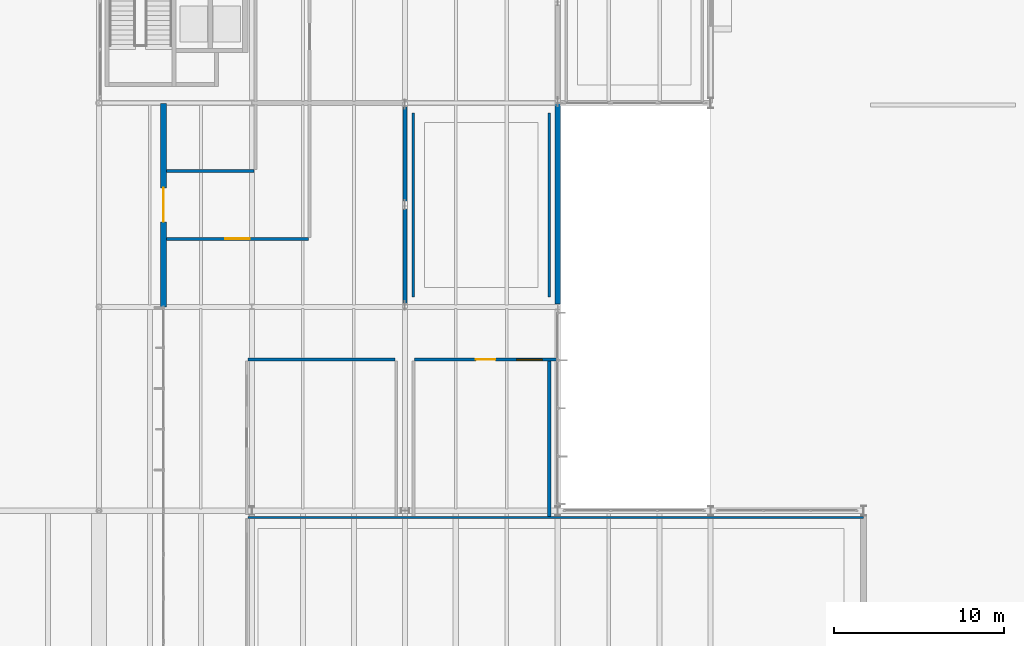
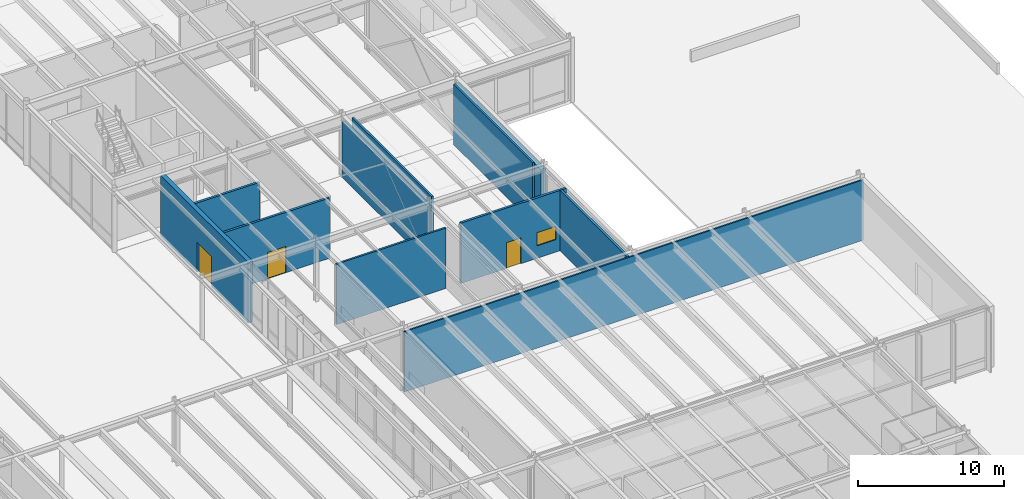
# One storey, part 124 of 143: 11 walls, 3 doors, 1 window, 4 openings.
"""IFC4 building model written with IfcOpenShell, lengths in metres."""

from ifc_helpers import new_model, si_unit, direction, frame, frame_2d, origin, place, context, subcontext, project, spatial, rectangle, extrude, material, layer, layer_set, type_object, element, fill, save


model = new_model("IFC4")

# Units and contexts
model_context = context("Model", 3, precision=1e-05, world=origin(), true_north=direction((0.0, 1.0)))
body_context = subcontext(model_context, "Body", "Model", "MODEL_VIEW")
ifc_project = project(units=[si_unit("LENGTHUNIT", "METRE"), si_unit("AREAUNIT", "SQUARE_METRE"), si_unit("VOLUMEUNIT", "CUBIC_METRE"), si_unit("PLANEANGLEUNIT", "RADIAN"), si_unit("MASSUNIT", "GRAM", prefix="KILO")], contexts=[model_context])

# Site, building, storey
site_placement = place(None, origin())
site = spatial("IfcSite", under=ifc_project, at=site_placement, CompositionType="ELEMENT")
building_placement = place(site_placement, origin())
building = spatial("IfcBuilding", under=site, at=building_placement, Name="Montelvaro Courts of Justice", CompositionType="ELEMENT")
storey_placement = place(building_placement, origin())
storey = spatial("IfcBuildingStorey", under=building, at=storey_placement, Name="L00", CompositionType="ELEMENT", Elevation=0.0)

# Walls
ifc_material_1 = material(Name="Gypsum board on metal stud")
ifc_layer_1 = layer(ifc_material_1, 0.14990234375)
ifc_layer_set_1 = layer_set([ifc_layer_1], Name="Gypsum board on metal stud")
wall_type_1 = type_object("IfcWallType", Name="ChambersPartition_150", PredefinedType="PARTITIONING", material=ifc_layer_set_1)
wall_1_placement = place(storey_placement, frame((107.780029296875, 50.89990234375, 0.0), z_axis=(0.0, 0.0, 1.0), x_axis=(1.0, 0.0, 0.0)))
element("IfcWall", 1, at=wall_1_placement, inside=storey, type_object=wall_type_1, Name="Interior Partition IW-04 (L00)", PredefinedType="PARTITIONING", context=body_context, shape_type="SweptSolid", body=[
    extrude(rectangle(XDim=8.639892578125, YDim=0.14990234375, at=frame_2d((4.31982421875, 0.0))), origin(), (0.0, 0.0, 1.0), 5.0400390625),
])
for number, where, z_axis, x_axis, name in (
    (2, (117.5, 54.580078125, 0.0), (0.0, 0.0, 1.0), (0.0, 1.0, 0.0), "Interior Partition IW-04 (L00)"),
    (3, (125.5, 65.419921875, 0.0), (0.0, 0.0, 1.0), (0.0, -1.0, 0.0), "Interior Partition IW-04 (L00)"),
):
    element("IfcWall", number, at=place(storey_placement, frame(where, z_axis=z_axis, x_axis=x_axis)), inside=storey, type_object=wall_type_1, Name=name, PredefinedType="PARTITIONING", context=body_context, shape_type="SweptSolid", body=[
        extrude(rectangle(XDim=10.83984375, YDim=0.14990234375, at=frame_2d((5.419921875, 0.0))), origin(), (0.0, 0.0, 1.0), 5.0400390625),
    ])

# Wall, opening, door
ifc_material_2 = material(Name="Fire-rated gypsum and steel stud", Category="steel")
ifc_layer_2 = layer(ifc_material_2, 0.179931640625)
ifc_layer_set_2 = layer_set([ifc_layer_2], Name="Fire-rated gypsum and steel stud")
wall_type_2 = type_object("IfcWallType", Name="CorridorFireWall_180", PredefinedType="PARTITIONING", material=ifc_layer_set_2)
wall_2_placement = place(storey_placement, frame((111.320068359375, 58.0, 0.0), z_axis=(0.0, 0.0, 1.0), x_axis=(-1.0, 0.0, 0.0)))
wall_2 = element("IfcWall", 4, at=wall_2_placement, inside=storey, type_object=wall_type_2, Name="Interior Partition IW-02 (L00)", PredefinedType="PARTITIONING", context=body_context, shape_type="SweptSolid", body=[
    extrude(rectangle(XDim=8.35009765625, YDim=0.179931640625, at=frame_2d((4.175048828125, 0.0))), origin(), (0.0, 0.0, 1.0), 5.0400390625),
])
opening_1_placement = place(wall_2_placement, frame((3.449951171875, 0.0, 0.0)))
opening_1 = element("IfcOpeningElement", 5, at=opening_1_placement, cuts=wall_2, Name="Opening D-L00-030", PredefinedType="OPENING", context=body_context, shape_type="SweptSolid", body=[
    extrude(rectangle(XDim=1.449951171875, YDim=2.199951171875, at=frame_2d((0.72509765625, 1.10009765625))), frame((0.0, 0.10498046875, 0.0), z_axis=(0.0, -1.0, 0.0), x_axis=(1.0, 0.0, 0.0)), (0.0, 0.0, 1.0), 0.209716796875),
])
ifc_material_3 = material(Name="Galvanised steel S355 security door", Category="steel")
door_type_1 = type_object("IfcDoorType", Name="LobbyFireDoor_145x220", OperationType="DOUBLE_DOOR_SINGLE_SWING", PredefinedType="DOOR", material=ifc_material_3)
door_1_placement = place(opening_1_placement, origin())
door_1 = element("IfcDoor", 6, at=door_1_placement, inside=storey, type_object=door_type_1, Name="Interior Door D-L00-030 (Protected Exit Passage K4)", OperationType="DOUBLE_DOOR_SINGLE_SWING", OverallHeight=2.199951171875, OverallWidth=1.449951171875, PredefinedType="DOOR", context=body_context, shape_type="SweptSolid", body=[
    extrude(rectangle(XDim=1.449951171875, YDim=2.199951171875, at=frame_2d((0.72509765625, 1.10009765625))), frame((0.0, 0.02490234375, 0.0), z_axis=(0.0, -1.0, 0.0), x_axis=(1.0, 0.0, 0.0)), (0.0, 0.0, 1.0), 0.050048828125),
])
fill(opening_1, door_1)

# Wall
wall_3_placement = place(storey_placement, frame((102.969970703125, 62.0, 0.0), z_axis=(0.0, 0.0, 1.0), x_axis=(1.0, 0.0, 0.0)))
element("IfcWall", 7, at=wall_3_placement, inside=storey, type_object=wall_type_2, Name="Interior Partition IW-02 (L00)", PredefinedType="PARTITIONING", context=body_context, shape_type="SweptSolid", body=[
    extrude(rectangle(XDim=5.150146484375, YDim=0.179931640625, at=frame_2d((2.5751953125, 0.0))), origin(), (0.0, 0.0, 1.0), 5.0400390625),
])

# Wall, openings, door, window
wall_4_placement = place(storey_placement, frame((117.580078125, 50.89990234375, 0.0), z_axis=(0.0, 0.0, 1.0), x_axis=(1.0, 0.0, 0.0)))
wall_4 = element("IfcWall", 8, at=wall_4_placement, inside=storey, type_object=wall_type_2, Name="Interior Partition IW-02 (L00)", PredefinedType="PARTITIONING", context=body_context, shape_type="SweptSolid", body=[
    extrude(rectangle(XDim=8.344970703125, YDim=0.179931640625, at=frame_2d((4.17236328125, 0.0))), origin(), (0.0, 0.0, 1.0), 5.0400390625),
])
opening_2_placement = place(wall_4_placement, frame((3.596923828125, 0.0, 0.0)))
opening_2 = element("IfcOpeningElement", 9, at=opening_2_placement, cuts=wall_4, Name="Opening D-L00-044", PredefinedType="OPENING", context=body_context, shape_type="SweptSolid", body=[
    extrude(rectangle(XDim=1.14990234375, YDim=2.14990234375, at=frame_2d((0.574951171875, 1.074951171875))), frame((0.0, 0.10498046875, 0.0), z_axis=(0.0, -1.0, 0.0), x_axis=(1.0, 0.0, 0.0)), (0.0, 0.0, 1.0), 0.209716796875),
])
opening_3_placement = place(wall_4_placement, frame((5.9951171875, 0.0, 1.050048828125)))
opening_3 = element("IfcOpeningElement", 10, at=opening_3_placement, cuts=wall_4, Name="Opening WI-02", PredefinedType="OPENING", context=body_context, shape_type="SweptSolid", body=[
    extrude(rectangle(XDim=1.5, YDim=1.10009765625, at=frame_2d((0.75, 0.550048828125))), frame((0.0, 0.10498046875, 0.0), z_axis=(0.0, -1.0, 0.0), x_axis=(1.0, 0.0, 0.0)), (0.0, 0.0, 1.0), 0.209716796875),
])
door_type_2 = type_object("IfcDoorType", Name="CustodyDoor_115x215", OperationType="NOTDEFINED", PredefinedType="DOOR", material=ifc_material_3)
door_2_placement = place(opening_2_placement, origin())
door_2 = element("IfcDoor", 11, at=door_2_placement, inside=storey, type_object=door_type_2, Name="Interior Door D-L00-044 (Civil Marriage Archive Office)", OperationType="SINGLE_SWING_LEFT", OverallHeight=2.14990234375, OverallWidth=1.14990234375, PredefinedType="DOOR", context=body_context, shape_type="SweptSolid", body=[
    extrude(rectangle(XDim=1.14990234375, YDim=2.14990234375, at=frame_2d((0.574951171875, 1.074951171875))), frame((0.0, 0.02490234375, 0.0), z_axis=(0.0, -1.0, 0.0), x_axis=(1.0, 0.0, 0.0)), (0.0, 0.0, 1.0), 0.050048828125),
])
fill(opening_2, door_2)
ifc_material_4 = material(Name="Acoustic laminated double glazing", Category="glass")
window_type = type_object("IfcWindowType", Name="IntVision_150x110", PartitioningType="SINGLE_PANEL", PredefinedType="WINDOW", material=ifc_material_4)
window_placement = place(opening_3_placement, origin())
window = element("IfcWindow", 12, at=window_placement, inside=storey, type_object=window_type, Name="Interior Vision Panel WI-026", OverallHeight=1.10009765625, OverallWidth=1.5, PartitioningType="SINGLE_PANEL", PredefinedType="WINDOW", context=body_context, shape_type="SweptSolid", body=[
    extrude(rectangle(XDim=1.5, YDim=1.10009765625, at=frame_2d((0.75, 0.550048828125))), frame((0.0, 0.030029296875, 0.0), z_axis=(0.0, -1.0, 0.0), x_axis=(1.0, 0.0, 0.0)), (0.0, 0.0, 1.0), 0.06005859375),
])
fill(opening_3, window)

# Walls
wall_5_placement = place(storey_placement, frame((125.5, 50.820068359375, 0.0), z_axis=(0.0, 0.0, 1.0), x_axis=(0.0, -1.0, 0.0)))
element("IfcWall", 13, at=wall_5_placement, inside=storey, type_object=wall_type_2, Name="Interior Partition IW-02 (L00)", PredefinedType="PARTITIONING", context=body_context, shape_type="SweptSolid", body=[
    extrude(rectangle(XDim=9.1650390625, YDim=0.179931640625, at=frame_2d((4.58251953125, 0.0))), origin(), (0.0, 0.0, 1.0), 5.0400390625),
])
ifc_material_5 = material(Name="Precast concrete C45/55", Category="concrete")
ifc_layer_3 = layer(ifc_material_5, 0.35009765625)
ifc_layer_set_3 = layer_set([ifc_layer_3], Name="Precast concrete C45/55")
wall_type_3 = type_object("IfcWallType", Name="ExtWall_Limestone_350", PredefinedType="SOLIDWALL", material=ifc_layer_set_3)
wall_6_placement = place(storey_placement, frame((126.0, 54.157958984375, 0.0), z_axis=(0.0, 0.0, 1.0), x_axis=(0.0, 1.0, 0.0)))
element("IfcWall", 14, at=wall_6_placement, inside=storey, type_object=wall_type_3, Name="Exterior Facade Wall EW-03 (L00)", PredefinedType="SOLIDWALL", context=body_context, shape_type="SweptSolid", body=[
    extrude(rectangle(XDim=11.833984375, YDim=0.35009765625, at=frame_2d((5.9169921875, 0.0))), origin(), (0.0, 0.0, 1.0), 4.60498046875),
])

# Wall, opening, door
wall_7_placement = place(storey_placement, frame((102.800048828125, 65.9599609375, 0.0), z_axis=(0.0, 0.0, 1.0), x_axis=(0.0, -1.0, 0.0)))
wall_7 = element("IfcWall", 15, at=wall_7_placement, inside=storey, type_object=wall_type_3, Name="Exterior Facade Wall EW-03 (L00)", PredefinedType="SOLIDWALL", context=body_context, shape_type="SweptSolid", body=[
    extrude(rectangle(XDim=11.969970703125, YDim=0.35009765625, at=frame_2d((5.98486328125, 0.0))), origin(), (0.0, 0.0, 1.0), 5.080078125),
])
opening_4_placement = place(wall_7_placement, frame((4.9599609375, 0.0, 0.0)))
opening_4 = element("IfcOpeningElement", 16, at=opening_4_placement, cuts=wall_7, Name="Opening ED-04", PredefinedType="OPENING", context=body_context, shape_type="SweptSolid", body=[
    extrude(rectangle(XDim=2.0, YDim=2.5, at=frame_2d((1.0, 1.25))), frame((0.0, 0.18994140625, 0.0), z_axis=(0.0, -1.0, 0.0), x_axis=(1.0, 0.0, 0.0)), (0.0, 0.0, 1.0), 0.3798828125),
])
ifc_material_6 = material(Name="Galvanised steel S355 fire door", Category="steel")
door_type_3 = type_object("IfcDoorType", Name="ExtDoor_Exit_200x250", OperationType="DOUBLE_DOOR_SINGLE_SWING", PredefinedType="DOOR", material=ifc_material_6)
door_3_placement = place(opening_4_placement, frame((2.0, 0.0, 0.0), z_axis=(0.0, 0.0, 1.0), x_axis=(-1.0, 0.0, 0.0)))
door_3 = element("IfcDoor", 17, at=door_3_placement, inside=storey, type_object=door_type_3, Name="Final Pedestrian Exit ED-04 Stair ST-K4", OperationType="DOUBLE_DOOR_SINGLE_SWING", OverallHeight=2.5, OverallWidth=2.0, PredefinedType="DOOR", context=body_context, shape_type="SweptSolid", body=[
    extrude(rectangle(XDim=2.0, YDim=2.5, at=frame_2d((1.0, 1.25))), frame((0.0, 0.02490234375, 0.0), z_axis=(0.0, -1.0, 0.0), x_axis=(1.0, 0.0, 0.0)), (0.0, 0.0, 1.0), 0.050048828125),
])
fill(opening_4, door_3)

# Walls
ifc_layer_4 = layer(ifc_material_1, 0.1201171875)
ifc_layer_set_4 = layer_set([ifc_layer_4], Name="Gypsum board on metal stud")
wall_type_4 = type_object("IfcWallType", Name="OfficePartition_120", PredefinedType="PARTITIONING", material=ifc_layer_set_4)
wall_8_placement = place(storey_placement, frame((107.780029296875, 41.60009765625, 0.0), z_axis=(0.0, 0.0, 1.0), x_axis=(1.0, 0.0, 0.0)))
element("IfcWall", 18, at=wall_8_placement, inside=storey, type_object=wall_type_4, Name="Interior Partition IW-05 (L00)", PredefinedType="PARTITIONING", context=body_context, shape_type="SweptSolid", body=[
    extrude(rectangle(XDim=36.2119140625, YDim=0.1201171875, at=frame_2d((18.10595703125, 0.0))), origin(), (0.0, 0.0, 1.0), 5.0400390625),
])
ifc_material_7 = material(Name="Concrete C35/45", Category="concrete")
ifc_layer_5 = layer(ifc_material_7, 0.239990234375)
ifc_layer_set_5 = layer_set([ifc_layer_5], Name="Concrete C35/45")
wall_type_5 = type_object("IfcWallType", Name="ShaftWall_240", PredefinedType="SHEAR", material=ifc_layer_set_5)
wall_9_placement = place(storey_placement, frame((117.0, 54.14794921875, 0.0), z_axis=(0.0, 0.0, 1.0), x_axis=(0.0, 1.0, 0.0)))
element("IfcWall", 19, at=wall_9_placement, inside=storey, type_object=wall_type_5, Name="Enclosed Braced Frame Structural Wall CBF4 (L00)", PredefinedType="SHEAR", context=body_context, shape_type="SweptSolid", body=[
    extrude(rectangle(XDim=11.674072265625, YDim=0.239990234375, at=frame_2d((5.8369140625, 0.0))), origin(), (0.0, 0.0, 1.0), 4.675048828125),
])

save(model, "model.ifc")
